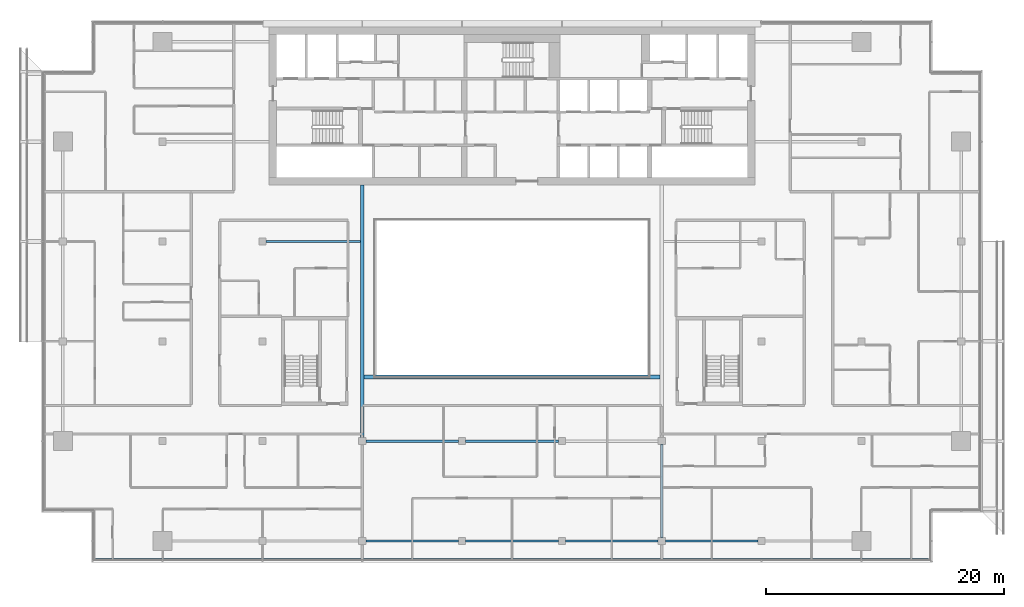
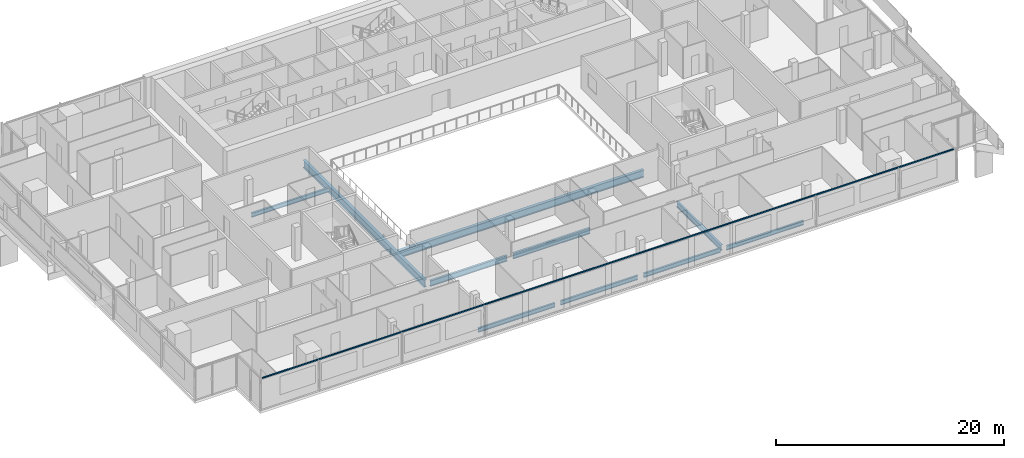
# One storey, part 5 of 28: 10 beams, 1 member, 1 element without a shape of its own.
"""IFC4 building model written with IfcOpenShell, lengths in metres."""

from ifc_helpers import new_model, si_unit, direction, frame, origin, origin_2d, place, context, subcontext, project, spatial, rectangle, i_section, extrude, material, material_profile, profile_set, type_object, element, aggregate, save


model = new_model("IFC4")

# Units and contexts
model_context = context("Model", 3, precision=1e-05, world=origin(), true_north=direction((0.0, 1.0)))
body_context = subcontext(model_context, "Body", "Model", "MODEL_VIEW")
ifc_project = project(units=[si_unit("LENGTHUNIT", "METRE"), si_unit("AREAUNIT", "SQUARE_METRE"), si_unit("VOLUMEUNIT", "CUBIC_METRE"), si_unit("PLANEANGLEUNIT", "RADIAN"), si_unit("MASSUNIT", "GRAM", prefix="KILO")], contexts=[model_context])

# Site, building, storey
site_placement = place(None, origin())
site = spatial("IfcSite", under=ifc_project, at=site_placement, CompositionType="ELEMENT")
building_placement = place(site_placement, origin())
building = spatial("IfcBuilding", under=site, at=building_placement, Name="Saffron Gate Tower", CompositionType="ELEMENT")
storey_placement = place(building_placement, frame((0.0, 0.0, 241.5)))
storey = spatial("IfcBuildingStorey", under=building, at=storey_placement, Name="L59", CompositionType="ELEMENT", Elevation=241.5)

# Beams
ifc_material_1 = material(Name="Structural steel S355", Category="steel")
ifc_material_profile_1 = material_profile(ifc_material_1, i_section(OverallWidth=0.219970703125, OverallDepth=0.60009765625, WebThickness=0.011962890625, FlangeThickness=0.01904296875, FilletRadius=0.02392578125, at=origin_2d()))
ifc_profile_set_1 = profile_set([ifc_material_profile_1], Name="Structural steel S355")
beam_type_1 = type_object("IfcBeamType", Name="B15 IPE 600", PredefinedType="BEAM", material=ifc_profile_set_1)
beam_1_placement = place(storey_placement, frame((100.199951171875, 32.10009765625, -0.580078125), z_axis=(0.0, 1.0, 0.0), x_axis=(-1.0, 0.0, 0.0)))
element("IfcBeam", 1, at=beam_1_placement, inside=storey, type_object=beam_type_1, Name="B15 FLOOR GIRDER", PredefinedType="BEAM", context=body_context, shape_type="SweptSolid", body=[
    extrude(i_section(OverallWidth=0.219970703125, OverallDepth=0.60009765625, WebThickness=0.011962890625, FlangeThickness=0.01904296875, FilletRadius=0.02392578125, at=origin_2d()), origin(), (0.0, 0.0, 1.0), 7.7998046875),
])
for number, where, z_axis, x_axis, name in (
    (2, (75.300048828125, 40.199951171875, -0.580078125), (1.0, 0.0, 0.0), (0.0, 1.0, 0.0), "B15 FLOOR GIRDER"),
    (3, (83.699951171875, 40.199951171875, -0.580078125), (1.0, 0.0, 0.0), (0.0, 1.0, 0.0), "B15 FLOOR GIRDER"),
):
    element("IfcBeam", number, at=place(storey_placement, frame(where, z_axis=z_axis, x_axis=x_axis)), inside=storey, type_object=beam_type_1, Name=name, PredefinedType="BEAM", context=body_context, shape_type="SweptSolid", body=[
        extrude(i_section(OverallWidth=0.219970703125, OverallDepth=0.60009765625, WebThickness=0.011962890625, FlangeThickness=0.01904296875, FilletRadius=0.02392578125, at=origin_2d()), origin(), (0.0, 0.0, 1.0), 7.800048828125),
    ])
ifc_material_profile_2 = material_profile(ifc_material_1, i_section(OverallWidth=0.300048828125, OverallDepth=0.7900390625, WebThickness=0.014892578125, FlangeThickness=0.028076171875, FilletRadius=0.030029296875, at=origin_2d()))
ifc_profile_set_2 = profile_set([ifc_material_profile_2], Name="Structural steel S355")
beam_type_2 = type_object("IfcBeamType", Name="B18 HEA 800", PredefinedType="BEAM", material=ifc_profile_set_2)
beam_2_placement = place(storey_placement, frame((75.0, 40.5, -0.675048828125), z_axis=(0.0, 1.0, 0.0), x_axis=(-1.0, 0.0, 0.0)))
element("IfcBeam", 4, at=beam_2_placement, inside=storey, type_object=beam_type_2, Name="B18 ATRIUM GIRDER", PredefinedType="BEAM", context=body_context, shape_type="SweptSolid", body=[
    extrude(i_section(OverallWidth=0.300048828125, OverallDepth=0.7900390625, WebThickness=0.014892578125, FlangeThickness=0.028076171875, FilletRadius=0.030029296875, at=origin_2d()), origin(), (0.0, 0.0, 1.0), 21.25),
])
beam_3_placement = place(storey_placement, frame((75.14990234375, 45.60009765625, -0.675048828125), z_axis=(1.0, 0.0, 0.0), x_axis=(0.0, 1.0, 0.0)))
element("IfcBeam", 5, at=beam_3_placement, inside=storey, type_object=beam_type_2, Name="B18 ATRIUM GIRDER", PredefinedType="BEAM", context=body_context, shape_type="SweptSolid", body=[
    extrude(i_section(OverallWidth=0.300048828125, OverallDepth=0.7900390625, WebThickness=0.014892578125, FlangeThickness=0.028076171875, FilletRadius=0.030029296875, at=origin_2d()), origin(), (0.0, 0.0, 1.0), 24.900146484375),
])
ifc_material_profile_3 = material_profile(ifc_material_1, i_section(OverallWidth=0.18994140625, OverallDepth=0.449951171875, WebThickness=0.009521484375, FlangeThickness=0.0146484375, FilletRadius=0.02099609375, at=origin_2d()))
ifc_profile_set_3 = profile_set([ifc_material_profile_3], Name="Structural steel S355")
beam_type_3 = type_object("IfcBeamType", Name="B6 IPE 450", PredefinedType="BEAM", material=ifc_profile_set_3)
beam_4_placement = place(storey_placement, frame((66.89990234375, 57.0, -0.5048828125), z_axis=(1.0, 0.0, 0.0), x_axis=(0.0, 1.0, 0.0)))
element("IfcBeam", 6, at=beam_4_placement, inside=storey, type_object=beam_type_3, Name="B6 CORE TIE BEAM", PredefinedType="BEAM", context=body_context, shape_type="SweptSolid", body=[
    extrude(i_section(OverallWidth=0.18994140625, OverallDepth=0.449951171875, WebThickness=0.009521484375, FlangeThickness=0.0146484375, FilletRadius=0.02099609375, at=origin_2d()), origin(), (0.0, 0.0, 1.0), 7.9501953125),
])
ifc_material_profile_4 = material_profile(ifc_material_1, i_section(OverallWidth=0.18994140625, OverallDepth=0.449951171875, WebThickness=0.009521484375, FlangeThickness=0.0146484375, FilletRadius=0.02099609375, at=origin_2d()))
ifc_profile_set_4 = profile_set([ifc_material_profile_4], Name="Structural steel S355")
beam_type_4 = type_object("IfcBeamType", Name="B7 IPE 450", PredefinedType="SPANDREL", material=ifc_profile_set_4)
for number, where, z_axis, x_axis, name in (
    (7, (75.300048828125, 31.800048828125, -0.5048828125), (1.0, 0.0, 0.0), (0.0, 1.0, 0.0), "B7 SPANDREL BEAM"),
    (8, (83.699951171875, 31.800048828125, -0.5048828125), (1.0, 0.0, 0.0), (0.0, 1.0, 0.0), "B7 SPANDREL BEAM"),
):
    element("IfcBeam", number, at=place(storey_placement, frame(where, z_axis=z_axis, x_axis=x_axis)), inside=storey, type_object=beam_type_4, Name=name, PredefinedType="SPANDREL", context=body_context, shape_type="SweptSolid", body=[
        extrude(i_section(OverallWidth=0.18994140625, OverallDepth=0.449951171875, WebThickness=0.009521484375, FlangeThickness=0.0146484375, FilletRadius=0.02099609375, at=origin_2d()), origin(), (0.0, 0.0, 1.0), 7.800048828125),
    ])
beam_5_placement = place(storey_placement, frame((92.10009765625, 31.800048828125, -0.5048828125), z_axis=(1.0, 0.0, 0.0), x_axis=(0.0, 1.0, 0.0)))
element("IfcBeam", 9, at=beam_5_placement, inside=storey, type_object=beam_type_4, Name="B7 SPANDREL BEAM", PredefinedType="SPANDREL", context=body_context, shape_type="SweptSolid", body=[
    extrude(i_section(OverallWidth=0.18994140625, OverallDepth=0.449951171875, WebThickness=0.009521484375, FlangeThickness=0.0146484375, FilletRadius=0.02099609375, at=origin_2d()), origin(), (0.0, 0.0, 1.0), 7.7998046875),
])
beam_6_placement = place(storey_placement, frame((100.5, 31.800048828125, -0.5048828125), z_axis=(1.0, 0.0, 0.0), x_axis=(0.0, 1.0, 0.0)))
element("IfcBeam", 10, at=beam_6_placement, inside=storey, type_object=beam_type_4, Name="B7 SPANDREL BEAM", PredefinedType="SPANDREL", context=body_context, shape_type="SweptSolid", body=[
    extrude(i_section(OverallWidth=0.18994140625, OverallDepth=0.449951171875, WebThickness=0.009521484375, FlangeThickness=0.0146484375, FilletRadius=0.02099609375, at=origin_2d()), origin(), (0.0, 0.0, 1.0), 7.800048828125),
])

# Curtain wall, member
ifc_material_2 = material(Name="Aluminium, bronze anodised", Category="aluminium")
curtain_wall_type = type_object("IfcCurtainWallType", Name="CWS1 curtain wall front facade", PredefinedType="NOTDEFINED", material=ifc_material_2)
curtain_wall_placement = place(storey_placement, origin())
curtain_wall = element("IfcCurtainWall", 11, at=curtain_wall_placement, inside=storey, type_object=curtain_wall_type, Name="CWS1 run 1", PredefinedType="NOTDEFINED")
ifc_material_profile_5 = material_profile(ifc_material_2, rectangle(XDim=0.1201171875, YDim=0.1201171875, at=origin_2d()))
ifc_profile_set_5 = profile_set([ifc_material_profile_5], Name="Aluminium, bronze anodised")
member_type = type_object("IfcMemberType", Name="CWS1 head transom", PredefinedType="USERDEFINED", material=ifc_profile_set_5)
member_placement = place(storey_placement, frame((52.568115234375, 30.248046875, 3.260009765625), z_axis=(1.0, 0.0, 0.0), x_axis=(0.0, 1.0, 0.0)))
member = element("IfcMember", 12, at=member_placement, type_object=member_type, Name="CWS1 head transom", ObjectType="TRANSOM", PredefinedType="USERDEFINED", context=body_context, shape_type="SweptSolid", body=[
    extrude(rectangle(XDim=0.1201171875, YDim=0.1201171875, at=origin_2d()), origin(), (0.0, 0.0, 1.0), 70.06396484375),
])
aggregate(curtain_wall, [member])

save(model, "model.ifc")
